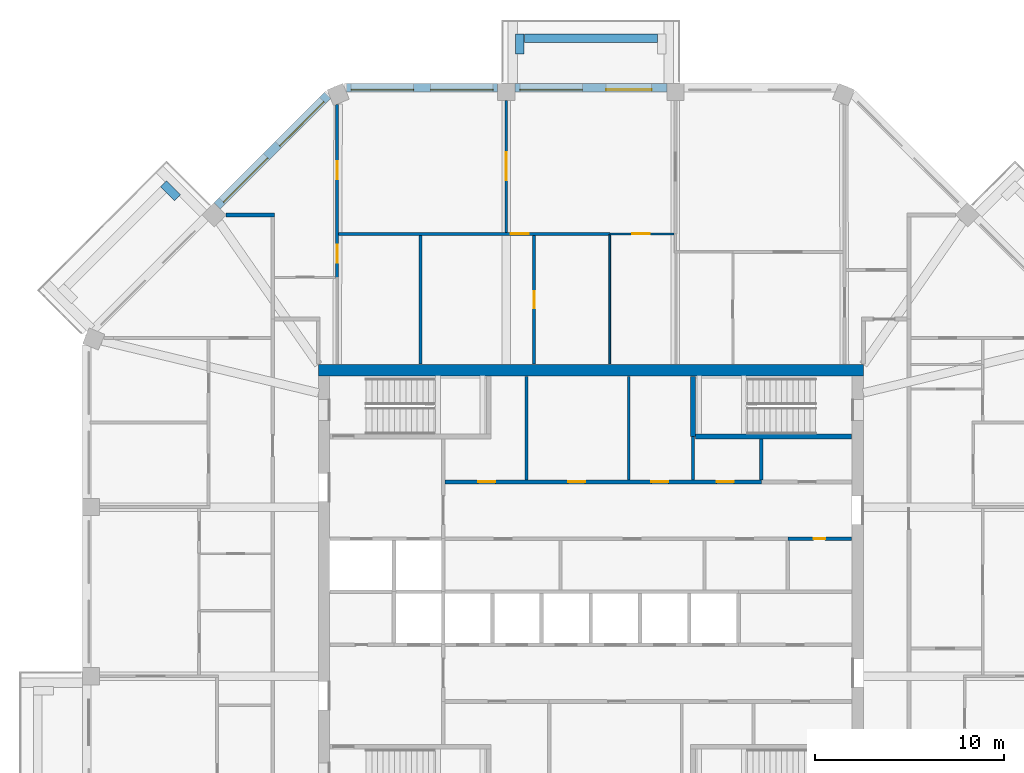
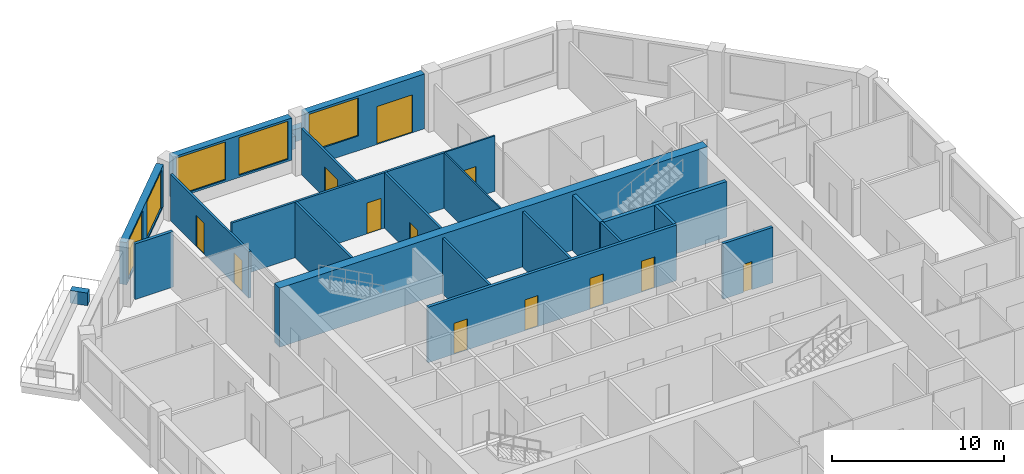
# One storey, part 8 of 11: 23 walls, 12 doors, 5 windows, 17 openings.
"""IFC4 building model written with IfcOpenShell, lengths in metres."""

from ifc_helpers import new_model, si_unit, direction, frame, frame_2d, origin, place, context, subcontext, project, spatial, rectangle, extrude, material, layer, layer_set, type_object, element, fill, save


model = new_model("IFC4")

# Units and contexts
model_context = context("Model", 3, precision=1e-05, world=origin(), true_north=direction((0.0, 1.0)))
body_context = subcontext(model_context, "Body", "Model", "MODEL_VIEW")
ifc_project = project(units=[si_unit("LENGTHUNIT", "METRE"), si_unit("AREAUNIT", "SQUARE_METRE"), si_unit("VOLUMEUNIT", "CUBIC_METRE"), si_unit("PLANEANGLEUNIT", "RADIAN"), si_unit("MASSUNIT", "GRAM", prefix="KILO")], contexts=[model_context])

# Site, building, storey
site_placement = place(None, origin())
site = spatial("IfcSite", under=ifc_project, at=site_placement, CompositionType="ELEMENT")
building_placement = place(site_placement, origin())
building = spatial("IfcBuilding", under=site, at=building_placement, Name="Msitu Wima Residences", CompositionType="ELEMENT")
storey_placement = place(building_placement, frame((0.0, 0.0, 302.10009765625)))
storey = spatial("IfcBuildingStorey", under=building, at=storey_placement, Name="L70", CompositionType="ELEMENT", Elevation=302.10009765625)

# Walls
ifc_material_1 = material(Name="Facing brick")
ifc_layer_1 = layer(ifc_material_1, 0.06494140625, Name="Facing brick")
ifc_material_2 = material(Name="Concrete C40/50", Category="concrete")
ifc_layer_2 = layer(ifc_material_2, 0.156005859375, Name="Concrete C40/50")
ifc_material_3 = material(Name="Waterproofing membrane")
ifc_layer_3 = layer(ifc_material_3, 0.00390625, Name="Waterproofing membrane")
ifc_material_4 = material(Name="Planting soil and planting")
ifc_layer_4 = layer(ifc_material_4, 0.22509765625, Name="Planting soil and planting")
ifc_layer_set_1 = layer_set([ifc_layer_1, ifc_layer_2, ifc_layer_3, ifc_layer_4], Name="Concrete C40/50")
wall_type_1 = type_object("IfcWallType", Name="Balcony planter PLANTER PL450", PredefinedType="USERDEFINED", material=ifc_layer_set_1)
wall_1_placement = place(storey_placement, frame((3.5185546875, 29.22509765625, 0.0), z_axis=(0.0, 0.0, 1.0), x_axis=(-1.0, 0.0, 0.0)))
element("IfcWall", 1, at=wall_1_placement, inside=storey, type_object=wall_type_1, Name="Balcony planter N1 L70", ObjectType="PLANTER", PredefinedType="USERDEFINED", context=body_context, shape_type="SweptSolid", body=[
    extrude(rectangle(XDim=7.037109375, YDim=0.449951171875, at=frame_2d((3.5185546875, 0.0))), origin(), (0.0, 0.0, 1.0), 0.89990234375),
])
for number, where, z_axis, x_axis, name in (
    (2, (-3.74365234375, 28.39990234375, 0.0), (0.0, 0.0, 1.0), (0.0, 1.0, 0.0), "Balcony planter N1 L70"),
    (3, (-21.829833984375, 20.804443359375, 0.0), (0.0, 0.0, 1.0), (-0.707106781187, 0.707106781187, 0.0), "Balcony planter NW1 L70"),
):
    element("IfcWall", number, at=place(storey_placement, frame(where, z_axis=z_axis, x_axis=x_axis)), inside=storey, type_object=wall_type_1, Name=name, ObjectType="PLANTER", PredefinedType="USERDEFINED", context=body_context, shape_type="SweptSolid", body=[
        extrude(rectangle(XDim=1.050048828125, YDim=0.449951171875, at=frame_2d((0.52490234375, 0.0))), origin(), (0.0, 0.0, 1.0), 0.89990234375),
    ])

# Wall, openings, door, window
ifc_material_5 = material(Name="Brick (red buff mix)", Category="masonry")
ifc_layer_5 = layer(ifc_material_5, 0.449951171875)
ifc_layer_set_2 = layer_set([ifc_layer_5], Name="Brick (red buff mix)")
wall_type_2 = type_object("IfcWallType", Name="Brick infill wall BW450", PredefinedType="SOLIDWALL", material=ifc_layer_set_2)
wall_2_placement = place(storey_placement, frame((4.0185546875, 26.625, 0.0), z_axis=(0.0, 0.0, 1.0), x_axis=(-1.0, 0.0, 0.0)))
wall_2 = element("IfcWall", 4, at=wall_2_placement, inside=storey, type_object=wall_type_2, Name="Brick infill wall L70 N1", PredefinedType="SOLIDWALL", context=body_context, shape_type="SweptSolid", body=[
    extrude(rectangle(XDim=8.037109375, YDim=0.449951171875, at=frame_2d((4.0185546875, 0.0))), origin(), (0.0, 0.0, 1.0), 3.89990234375),
])
opening_1_placement = place(wall_2_placement, frame((0.809326171875, 0.0, 0.0)))
opening_1 = element("IfcOpeningElement", 5, at=opening_1_placement, cuts=wall_2, Name="Opening D68-70.002", PredefinedType="OPENING", context=body_context, shape_type="SweptSolid", body=[
    extrude(rectangle(XDim=2.39990234375, YDim=2.699951171875, at=frame_2d((1.199951171875, 1.35009765625))), frame((0.0, 0.23486328125, 0.0), z_axis=(0.0, -1.0, 0.0), x_axis=(1.0, 0.0, 0.0)), (0.0, 0.0, 1.0), 0.469970703125),
])
opening_2_placement = place(wall_2_placement, frame((4.46875, 0.0, 1.050048828125)))
opening_2 = element("IfcOpeningElement", 6, at=opening_2_placement, cuts=wall_2, Name="Opening W68-70.008", PredefinedType="OPENING", context=body_context, shape_type="SweptSolid", body=[
    extrude(rectangle(XDim=3.300048828125, YDim=2.699951171875, at=frame_2d((1.64990234375, 1.35009765625))), frame((0.0, 0.23486328125, 0.0), z_axis=(0.0, -1.0, 0.0), x_axis=(1.0, 0.0, 0.0)), (0.0, 0.0, 1.0), 0.469970703125),
])
ifc_material_6 = material(Name="Anodised aluminium, bronze finish, clear low-emissivity double glazing", Category="aluminium")
door_type_1 = type_object("IfcDoorType", Name="Balcony door D2400x2700", OperationType="SLIDING_TO_LEFT", PredefinedType="DOOR", material=ifc_material_6)
door_1_placement = place(opening_1_placement, origin())
door_1 = element("IfcDoor", 7, at=door_1_placement, inside=storey, type_object=door_type_1, Name="Balcony door L70 N1", OperationType="SINGLE_SWING_LEFT", OverallHeight=2.699951171875, OverallWidth=2.39990234375, PredefinedType="DOOR", context=body_context, shape_type="SweptSolid", body=[
    extrude(rectangle(XDim=2.39990234375, YDim=2.699951171875, at=frame_2d((1.199951171875, 1.35009765625))), frame((0.0, 0.1298828125, 0.0), z_axis=(0.0, -1.0, 0.0), x_axis=(1.0, 0.0, 0.0)), (0.0, 0.0, 1.0), 0.050048828125),
])
fill(opening_1, door_1)
window_type = type_object("IfcWindowType", Name="Window W3300x2700", PartitioningType="DOUBLE_PANEL_VERTICAL", PredefinedType="WINDOW", material=ifc_material_6)
window_1_placement = place(opening_2_placement, origin())
window_1 = element("IfcWindow", 8, at=window_1_placement, inside=storey, type_object=window_type, Name="Window L70 N1.2", OverallHeight=2.699951171875, OverallWidth=3.300048828125, PartitioningType="SINGLE_PANEL", PredefinedType="WINDOW", context=body_context, shape_type="SweptSolid", body=[
    extrude(rectangle(XDim=3.300048828125, YDim=2.699951171875, at=frame_2d((1.64990234375, 1.35009765625))), frame((0.0, 0.135009765625, 0.0), z_axis=(0.0, -1.0, 0.0), x_axis=(1.0, 0.0, 0.0)), (0.0, 0.0, 1.0), 0.06005859375),
])
fill(opening_2, window_1)

# Wall, openings, windows
wall_3_placement = place(storey_placement, frame((-4.918701171875, 26.625, 0.89990234375), z_axis=(0.0, 0.0, 1.0), x_axis=(-1.0, 0.0, 0.0)))
wall_3 = element("IfcWall", 9, at=wall_3_placement, inside=storey, type_object=wall_type_2, Name="Brick infill wall L70 N2", PredefinedType="SOLIDWALL", context=body_context, shape_type="SweptSolid", body=[
    extrude(rectangle(XDim=8.0, YDim=0.449951171875, at=frame_2d((4.0, 0.0))), origin(), (0.0, 0.0, 1.0), 3.0),
])
opening_3_placement = place(wall_3_placement, frame((0.25, 0.0, 0.14990234375)))
opening_3 = element("IfcOpeningElement", 10, at=opening_3_placement, cuts=wall_3, Name="Opening W68-70.009", PredefinedType="OPENING", context=body_context, shape_type="SweptSolid", body=[
    extrude(rectangle(XDim=3.300048828125, YDim=2.699951171875, at=frame_2d((1.64990234375, 1.35009765625))), frame((0.0, 0.23486328125, 0.0), z_axis=(0.0, -1.0, 0.0), x_axis=(1.0, 0.0, 0.0)), (0.0, 0.0, 1.0), 0.469970703125),
])
opening_4_placement = place(wall_3_placement, frame((4.4501953125, 0.0, 0.14990234375)))
opening_4 = element("IfcOpeningElement", 11, at=opening_4_placement, cuts=wall_3, Name="Opening W68-70.010", PredefinedType="OPENING", context=body_context, shape_type="SweptSolid", body=[
    extrude(rectangle(XDim=3.300048828125, YDim=2.699951171875, at=frame_2d((1.64990234375, 1.35009765625))), frame((0.0, 0.23486328125, 0.0), z_axis=(0.0, -1.0, 0.0), x_axis=(1.0, 0.0, 0.0)), (0.0, 0.0, 1.0), 0.469970703125),
])
window_2_placement = place(opening_3_placement, origin())
window_2 = element("IfcWindow", 12, at=window_2_placement, inside=storey, type_object=window_type, Name="Window L70 N2.1", OverallHeight=2.699951171875, OverallWidth=3.300048828125, PartitioningType="SINGLE_PANEL", PredefinedType="WINDOW", context=body_context, shape_type="SweptSolid", body=[
    extrude(rectangle(XDim=3.300048828125, YDim=2.699951171875, at=frame_2d((1.64990234375, 1.35009765625))), frame((0.0, 0.135009765625, 0.0), z_axis=(0.0, -1.0, 0.0), x_axis=(1.0, 0.0, 0.0)), (0.0, 0.0, 1.0), 0.06005859375),
])
fill(opening_3, window_2)
window_3_placement = place(opening_4_placement, origin())
window_3 = element("IfcWindow", 13, at=window_3_placement, inside=storey, type_object=window_type, Name="Window L70 N2.2", OverallHeight=2.699951171875, OverallWidth=3.300048828125, PartitioningType="SINGLE_PANEL", PredefinedType="WINDOW", context=body_context, shape_type="SweptSolid", body=[
    extrude(rectangle(XDim=3.300048828125, YDim=2.699951171875, at=frame_2d((1.64990234375, 1.35009765625))), frame((0.0, 0.135009765625, 0.0), z_axis=(0.0, -1.0, 0.0), x_axis=(1.0, 0.0, 0.0)), (0.0, 0.0, 1.0), 0.06005859375),
])
fill(opening_4, window_3)

wall_4_placement = place(storey_placement, frame((-13.909423828125, 26.214599609375, 0.89990234375), z_axis=(0.0, 0.0, 1.0), x_axis=(-0.707106781187, -0.707106781187, 0.0)))
wall_4 = element("IfcWall", 14, at=wall_4_placement, inside=storey, type_object=wall_type_2, Name="Brick infill wall L70 NW0", PredefinedType="SOLIDWALL", context=body_context, shape_type="SweptSolid", body=[
    extrude(rectangle(XDim=8.251220703125, YDim=0.449951171875, at=frame_2d((4.12548828125, 0.0))), origin(), (0.0, 0.0, 1.0), 3.0),
])
opening_5_placement = place(wall_4_placement, frame((0.37548828125, 0.0, 0.14990234375)))
opening_5 = element("IfcOpeningElement", 15, at=opening_5_placement, cuts=wall_4, Name="Opening W68-70.014", PredefinedType="OPENING", context=body_context, shape_type="SweptSolid", body=[
    extrude(rectangle(XDim=3.300048828125, YDim=2.699951171875, at=frame_2d((1.64990234375, 1.35009765625))), frame((0.0, 0.23486328125, 0.0), z_axis=(0.0, -1.0, 0.0), x_axis=(1.0, 0.0, 0.0)), (0.0, 0.0, 1.0), 0.469970703125),
])
opening_6_placement = place(wall_4_placement, frame((4.57568359375, 0.0, 0.14990234375)))
opening_6 = element("IfcOpeningElement", 16, at=opening_6_placement, cuts=wall_4, Name="Opening W68-70.015", PredefinedType="OPENING", context=body_context, shape_type="SweptSolid", body=[
    extrude(rectangle(XDim=3.300048828125, YDim=2.699951171875, at=frame_2d((1.64990234375, 1.35009765625))), frame((0.0, 0.23486328125, 0.0), z_axis=(0.0, -1.0, 0.0), x_axis=(1.0, 0.0, 0.0)), (0.0, 0.0, 1.0), 0.469970703125),
])
window_4_placement = place(opening_5_placement, origin())
window_4 = element("IfcWindow", 17, at=window_4_placement, inside=storey, type_object=window_type, Name="Window L70 NW0.1", OverallHeight=2.699951171875, OverallWidth=3.300048828125, PartitioningType="SINGLE_PANEL", PredefinedType="WINDOW", context=body_context, shape_type="SweptSolid", body=[
    extrude(rectangle(XDim=3.300048828125, YDim=2.699951171875, at=frame_2d((1.64990234375, 1.35009765625))), frame((0.0, 0.135009765625, 0.0), z_axis=(0.0, -1.0, 0.0), x_axis=(1.0, 0.0, 0.0)), (0.0, 0.0, 1.0), 0.06005859375),
])
fill(opening_5, window_4)
window_5_placement = place(opening_6_placement, origin())
window_5 = element("IfcWindow", 18, at=window_5_placement, inside=storey, type_object=window_type, Name="Window L70 NW0.2", OverallHeight=2.699951171875, OverallWidth=3.300048828125, PartitioningType="SINGLE_PANEL", PredefinedType="WINDOW", context=body_context, shape_type="SweptSolid", body=[
    extrude(rectangle(XDim=3.300048828125, YDim=2.699951171875, at=frame_2d((1.64990234375, 1.35009765625))), frame((0.0, 0.135009765625, 0.0), z_axis=(0.0, -1.0, 0.0), x_axis=(1.0, 0.0, 0.0)), (0.0, 0.0, 1.0), 0.06005859375),
])
fill(opening_6, window_5)

# Wall
ifc_material_7 = material(Name="Concrete C50/60", Category="concrete")
ifc_layer_6 = layer(ifc_material_7, 0.60009765625)
ifc_layer_set_3 = layer_set([ifc_layer_6], Name="Concrete C50/60")
wall_type_3 = type_object("IfcWallType", Name="Core wall CW600 C50/60", PredefinedType="SHEAR", material=ifc_layer_set_3)
wall_5_placement = place(storey_placement, frame((-14.39990234375, 11.699951171875, 0.0), z_axis=(0.0, 0.0, 1.0), x_axis=(1.0, 0.0, 0.0)))
element("IfcWall", 19, at=wall_5_placement, inside=storey, type_object=wall_type_3, Name="Core wall", PredefinedType="SHEAR", context=body_context, shape_type="SweptSolid", body=[
    extrude(rectangle(XDim=28.7998046875, YDim=0.60009765625, at=frame_2d((14.39990234375, 0.0))), origin(), (0.0, 0.0, 1.0), 4.199951171875),
])

# Wall, openings, doors
ifc_material_8 = material(Name="Plaster")
ifc_layer_7 = layer(ifc_material_8, 0.011962890625, Name="Plaster")
ifc_material_9 = material(Name="Concrete blockwork", Category="masonry")
ifc_layer_8 = layer(ifc_material_9, 0.176025390625, Name="Concrete blockwork")
ifc_layer_9 = layer(ifc_material_8, 0.011962890625, Name="Plaster")
ifc_layer_set_4 = layer_set([ifc_layer_7, ifc_layer_8, ifc_layer_9], Name="Concrete blockwork")
wall_type_4 = type_object("IfcWallType", Name="Corridor wall FW200", PredefinedType="PARTITIONING", material=ifc_layer_set_4)
wall_6_placement = place(storey_placement, frame((-7.699951171875, 5.800048828125, 0.0), z_axis=(0.0, 0.0, 1.0), x_axis=(1.0, 0.0, 0.0)))
wall_6 = element("IfcWall", 20, at=wall_6_placement, inside=storey, type_object=wall_type_4, Name="Corridor wall", PredefinedType="PARTITIONING", context=body_context, shape_type="SweptSolid", body=[
    extrude(rectangle(XDim=16.719970703125, YDim=0.199951171875, at=frame_2d((8.35986328125, 0.0))), origin(), (0.0, 0.0, 1.0), 3.949951171875),
])
opening_7_placement = place(wall_6_placement, frame((1.75, 0.0, 0.0)))
opening_7 = element("IfcOpeningElement", 21, at=opening_7_placement, cuts=wall_6, Name="Opening D68-70.062", PredefinedType="OPENING", context=body_context, shape_type="SweptSolid", body=[
    extrude(rectangle(XDim=0.89990234375, YDim=2.199951171875, at=frame_2d((0.449951171875, 1.10009765625))), frame((0.0, 0.10986328125, 0.0), z_axis=(0.0, -1.0, 0.0), x_axis=(1.0, 0.0, 0.0)), (0.0, 0.0, 1.0), 0.219970703125),
])
opening_8_placement = place(wall_6_placement, frame((6.5, 0.0, 0.0)))
opening_8 = element("IfcOpeningElement", 22, at=opening_8_placement, cuts=wall_6, Name="Opening D68-70.063", PredefinedType="OPENING", context=body_context, shape_type="SweptSolid", body=[
    extrude(rectangle(XDim=0.89990234375, YDim=2.199951171875, at=frame_2d((0.449951171875, 1.10009765625))), frame((0.0, 0.10986328125, 0.0), z_axis=(0.0, -1.0, 0.0), x_axis=(1.0, 0.0, 0.0)), (0.0, 0.0, 1.0), 0.219970703125),
])
opening_9_placement = place(wall_6_placement, frame((10.89990234375, 0.0, 0.0)))
opening_9 = element("IfcOpeningElement", 23, at=opening_9_placement, cuts=wall_6, Name="Opening D68-70.064", PredefinedType="OPENING", context=body_context, shape_type="SweptSolid", body=[
    extrude(rectangle(XDim=0.89990234375, YDim=2.199951171875, at=frame_2d((0.449951171875, 1.10009765625))), frame((0.0, 0.10986328125, 0.0), z_axis=(0.0, -1.0, 0.0), x_axis=(1.0, 0.0, 0.0)), (0.0, 0.0, 1.0), 0.219970703125),
])
opening_10_placement = place(wall_6_placement, frame((14.35009765625, 0.0, 0.0)))
opening_10 = element("IfcOpeningElement", 24, at=opening_10_placement, cuts=wall_6, Name="Opening D68-70.065", PredefinedType="OPENING", context=body_context, shape_type="SweptSolid", body=[
    extrude(rectangle(XDim=0.89990234375, YDim=2.199951171875, at=frame_2d((0.449951171875, 1.10009765625))), frame((0.0, 0.10986328125, 0.0), z_axis=(0.0, -1.0, 0.0), x_axis=(1.0, 0.0, 0.0)), (0.0, 0.0, 1.0), 0.219970703125),
])
ifc_material_10 = material(Name="Timber flush door", Category="wood")
door_type_2 = type_object("IfcDoorType", Name="Service door D05 900x2200", OperationType="SINGLE_SWING_LEFT", PredefinedType="DOOR", material=ifc_material_10)
door_2_placement = place(opening_7_placement, origin())
door_2 = element("IfcDoor", 25, at=door_2_placement, inside=storey, type_object=door_type_2, Name="Service door", OperationType="SINGLE_SWING_RIGHT", OverallHeight=2.199951171875, OverallWidth=0.89990234375, PredefinedType="DOOR", context=body_context, shape_type="SweptSolid", body=[
    extrude(rectangle(XDim=0.89990234375, YDim=2.199951171875, at=frame_2d((0.449951171875, 1.10009765625))), frame((0.0, 0.02490234375, 0.0), z_axis=(0.0, -1.0, 0.0), x_axis=(1.0, 0.0, 0.0)), (0.0, 0.0, 1.0), 0.050048828125),
])
fill(opening_7, door_2)
door_3_placement = place(opening_8_placement, origin())
door_3 = element("IfcDoor", 26, at=door_3_placement, inside=storey, type_object=door_type_2, Name="Service door", OperationType="SINGLE_SWING_LEFT", OverallHeight=2.199951171875, OverallWidth=0.89990234375, PredefinedType="DOOR", context=body_context, shape_type="SweptSolid", body=[
    extrude(rectangle(XDim=0.89990234375, YDim=2.199951171875, at=frame_2d((0.449951171875, 1.10009765625))), frame((0.0, 0.02490234375, 0.0), z_axis=(0.0, -1.0, 0.0), x_axis=(1.0, 0.0, 0.0)), (0.0, 0.0, 1.0), 0.050048828125),
])
fill(opening_8, door_3)
door_4_placement = place(opening_9_placement, origin())
door_4 = element("IfcDoor", 27, at=door_4_placement, inside=storey, type_object=door_type_2, Name="Service door", OperationType="SINGLE_SWING_LEFT", OverallHeight=2.199951171875, OverallWidth=0.89990234375, PredefinedType="DOOR", context=body_context, shape_type="SweptSolid", body=[
    extrude(rectangle(XDim=0.89990234375, YDim=2.199951171875, at=frame_2d((0.449951171875, 1.10009765625))), frame((0.0, 0.02490234375, 0.0), z_axis=(0.0, -1.0, 0.0), x_axis=(1.0, 0.0, 0.0)), (0.0, 0.0, 1.0), 0.050048828125),
])
fill(opening_9, door_4)
door_5_placement = place(opening_10_placement, origin())
door_5 = element("IfcDoor", 28, at=door_5_placement, inside=storey, type_object=door_type_2, Name="Service door", OperationType="SINGLE_SWING_LEFT", OverallHeight=2.199951171875, OverallWidth=0.89990234375, PredefinedType="DOOR", context=body_context, shape_type="SweptSolid", body=[
    extrude(rectangle(XDim=0.89990234375, YDim=2.199951171875, at=frame_2d((0.449951171875, 1.10009765625))), frame((0.0, 0.02490234375, 0.0), z_axis=(0.0, -1.0, 0.0), x_axis=(1.0, 0.0, 0.0)), (0.0, 0.0, 1.0), 0.050048828125),
])
fill(opening_10, door_5)

# Wall, opening, door
ifc_layer_10 = layer(ifc_material_8, 0.011962890625, Name="Plaster")
ifc_layer_11 = layer(ifc_material_9, 0.1259765625, Name="Concrete blockwork")
ifc_layer_12 = layer(ifc_material_8, 0.011962890625, Name="Plaster")
ifc_layer_set_5 = layer_set([ifc_layer_10, ifc_layer_11, ifc_layer_12], Name="Concrete blockwork")
wall_type_5 = type_object("IfcWallType", Name="Partition PW150", PredefinedType="PARTITIONING", material=ifc_layer_set_5)
wall_7_placement = place(storey_placement, frame((-13.330810546875, 18.89990234375, 0.0), z_axis=(0.0, 0.0, 1.0), x_axis=(1.0, 0.0, 0.0)))
wall_7 = element("IfcWall", 29, at=wall_7_placement, inside=storey, type_object=wall_type_5, Name="Partition", PredefinedType="PARTITIONING", context=body_context, shape_type="SweptSolid", body=[
    extrude(rectangle(XDim=14.330810546875, YDim=0.14990234375, at=frame_2d((7.16552734375, 0.0))), origin(), (0.0, 0.0, 1.0), 3.949951171875),
])
opening_11_placement = place(wall_7_placement, frame((9.10009765625, 0.0, 0.0)))
opening_11 = element("IfcOpeningElement", 30, at=opening_11_placement, cuts=wall_7, Name="Opening D68-70.030", PredefinedType="OPENING", context=body_context, shape_type="SweptSolid", body=[
    extrude(rectangle(XDim=0.949951171875, YDim=2.199951171875, at=frame_2d((0.47509765625, 1.10009765625))), frame((0.0, 0.0849609375, 0.0), z_axis=(0.0, -1.0, 0.0), x_axis=(1.0, 0.0, 0.0)), (0.0, 0.0, 1.0), 0.169921875),
])
door_type_3 = type_object("IfcDoorType", Name="Room door D12 950x2200", OperationType="SINGLE_SWING_LEFT", PredefinedType="DOOR", material=ifc_material_10)
door_6_placement = place(opening_11_placement, origin())
door_6 = element("IfcDoor", 31, at=door_6_placement, inside=storey, type_object=door_type_3, Name="Room door", OperationType="SINGLE_SWING_LEFT", OverallHeight=2.199951171875, OverallWidth=0.949951171875, PredefinedType="DOOR", context=body_context, shape_type="SweptSolid", body=[
    extrude(rectangle(XDim=0.949951171875, YDim=2.199951171875, at=frame_2d((0.47509765625, 1.10009765625))), frame((0.0, 0.02490234375, 0.0), z_axis=(0.0, -1.0, 0.0), x_axis=(1.0, 0.0, 0.0)), (0.0, 0.0, 1.0), 0.050048828125),
])
fill(opening_11, door_6)

# Wall, openings, doors
wall_8_placement = place(storey_placement, frame((-13.406005859375, 25.731201171875, 0.0), z_axis=(0.0, 0.0, 1.0), x_axis=(0.0, -1.0, 0.0)))
wall_8 = element("IfcWall", 32, at=wall_8_placement, inside=storey, type_object=wall_type_5, Name="Partition", PredefinedType="PARTITIONING", context=body_context, shape_type="SweptSolid", body=[
    extrude(rectangle(XDim=9.131103515625, YDim=0.14990234375, at=frame_2d((4.5654296875, 0.0))), origin(), (0.0, 0.0, 1.0), 3.2998046875),
])
opening_12_placement = place(wall_8_placement, frame((3.0, 0.0, 0.0)))
opening_12 = element("IfcOpeningElement", 33, at=opening_12_placement, cuts=wall_8, Name="Opening D68-70.023", PredefinedType="OPENING", context=body_context, shape_type="SweptSolid", body=[
    extrude(rectangle(XDim=0.949951171875, YDim=2.199951171875, at=frame_2d((0.47509765625, 1.10009765625))), frame((0.0, 0.0849609375, 0.0), z_axis=(0.0, -1.0, 0.0), x_axis=(1.0, 0.0, 0.0)), (0.0, 0.0, 1.0), 0.169921875),
])
opening_13_placement = place(wall_8_placement, frame((7.39990234375, 0.0, 0.0)))
opening_13 = element("IfcOpeningElement", 34, at=opening_13_placement, cuts=wall_8, Name="Opening D68-70.024", PredefinedType="OPENING", context=body_context, shape_type="SweptSolid", body=[
    extrude(rectangle(XDim=0.949951171875, YDim=2.199951171875, at=frame_2d((0.47509765625, 1.10009765625))), frame((0.0, 0.0849609375, 0.0), z_axis=(0.0, -1.0, 0.0), x_axis=(1.0, 0.0, 0.0)), (0.0, 0.0, 1.0), 0.169921875),
])
door_7_placement = place(opening_12_placement, origin())
door_7 = element("IfcDoor", 35, at=door_7_placement, inside=storey, type_object=door_type_3, Name="Room door", OperationType="SINGLE_SWING_RIGHT", OverallHeight=2.199951171875, OverallWidth=0.949951171875, PredefinedType="DOOR", context=body_context, shape_type="SweptSolid", body=[
    extrude(rectangle(XDim=0.949951171875, YDim=2.199951171875, at=frame_2d((0.47509765625, 1.10009765625))), frame((0.0, 0.02490234375, 0.0), z_axis=(0.0, -1.0, 0.0), x_axis=(1.0, 0.0, 0.0)), (0.0, 0.0, 1.0), 0.050048828125),
])
fill(opening_12, door_7)
door_8_placement = place(opening_13_placement, origin())
door_8 = element("IfcDoor", 36, at=door_8_placement, inside=storey, type_object=door_type_3, Name="Room door", OperationType="SINGLE_SWING_LEFT", OverallHeight=2.199951171875, OverallWidth=0.949951171875, PredefinedType="DOOR", context=body_context, shape_type="SweptSolid", body=[
    extrude(rectangle(XDim=0.949951171875, YDim=2.199951171875, at=frame_2d((0.47509765625, 1.10009765625))), frame((0.0, 0.02490234375, 0.0), z_axis=(0.0, -1.0, 0.0), x_axis=(1.0, 0.0, 0.0)), (0.0, 0.0, 1.0), 0.050048828125),
])
fill(opening_13, door_8)

# Wall
wall_9_placement = place(storey_placement, frame((-9.0, 12.030029296875, 0.0), z_axis=(0.0, 0.0, 1.0), x_axis=(0.0, 1.0, 0.0)))
element("IfcWall", 37, at=wall_9_placement, inside=storey, type_object=wall_type_5, Name="Partition", PredefinedType="PARTITIONING", context=body_context, shape_type="SweptSolid", body=[
    extrude(rectangle(XDim=6.794921875, YDim=0.14990234375, at=frame_2d((3.3974609375, 0.0))), origin(), (0.0, 0.0, 1.0), 3.949951171875),
])

# Wall, opening, door
wall_10_placement = place(storey_placement, frame((-4.46875, 18.97509765625, 0.0), z_axis=(0.0, 0.0, 1.0), x_axis=(0.0, 1.0, 0.0)))
wall_10 = element("IfcWall", 38, at=wall_10_placement, inside=storey, type_object=wall_type_5, Name="Partition", PredefinedType="PARTITIONING", context=body_context, shape_type="SweptSolid", body=[
    extrude(rectangle(XDim=6.974853515625, YDim=0.14990234375, at=frame_2d((3.4873046875, 0.0))), origin(), (0.0, 0.0, 1.0), 3.2998046875),
])
opening_14_placement = place(wall_10_placement, frame((2.75, 0.0, 0.0)))
opening_14 = element("IfcOpeningElement", 39, at=opening_14_placement, cuts=wall_10, Name="Opening D68-70.033", PredefinedType="OPENING", context=body_context, shape_type="SweptSolid", body=[
    extrude(rectangle(XDim=1.5, YDim=2.199951171875, at=frame_2d((0.75, 1.10009765625))), frame((0.0, 0.0849609375, 0.0), z_axis=(0.0, -1.0, 0.0), x_axis=(1.0, 0.0, 0.0)), (0.0, 0.0, 1.0), 0.169921875),
])
ifc_material_11 = material(Name="Timber double door", Category="wood")
door_type_4 = type_object("IfcDoorType", Name="Double door D04 1500x2200", OperationType="DOUBLE_DOOR_SINGLE_SWING", PredefinedType="DOOR", material=ifc_material_11)
door_9_placement = place(opening_14_placement, origin())
door_9 = element("IfcDoor", 40, at=door_9_placement, inside=storey, type_object=door_type_4, Name="Double door", OperationType="DOUBLE_DOOR_SINGLE_SWING", OverallHeight=2.199951171875, OverallWidth=1.5, PredefinedType="DOOR", context=body_context, shape_type="SweptSolid", body=[
    extrude(rectangle(XDim=1.5, YDim=2.199951171875, at=frame_2d((0.75, 1.10009765625))), frame((0.0, 0.02490234375, 0.0), z_axis=(0.0, -1.0, 0.0), x_axis=(1.0, 0.0, 0.0)), (0.0, 0.0, 1.0), 0.050048828125),
])
fill(opening_14, door_9)

# Wall
wall_11_placement = place(storey_placement, frame((-3.39990234375, 5.89990234375, 0.0), z_axis=(0.0, 0.0, 1.0), x_axis=(0.0, 1.0, 0.0)))
element("IfcWall", 41, at=wall_11_placement, inside=storey, type_object=wall_type_5, Name="Partition", PredefinedType="PARTITIONING", context=body_context, shape_type="SweptSolid", body=[
    extrude(rectangle(XDim=5.47021484375, YDim=0.14990234375, at=frame_2d((2.735107421875, 0.0))), origin(), (0.0, 0.0, 1.0), 3.949951171875),
])

# Wall, opening, door
wall_12_placement = place(storey_placement, frame((-3.0, 12.030029296875, 0.0), z_axis=(0.0, 0.0, 1.0), x_axis=(0.0, 1.0, 0.0)))
wall_12 = element("IfcWall", 42, at=wall_12_placement, inside=storey, type_object=wall_type_5, Name="Partition", PredefinedType="PARTITIONING", context=body_context, shape_type="SweptSolid", body=[
    extrude(rectangle(XDim=6.794921875, YDim=0.14990234375, at=frame_2d((3.3974609375, 0.0))), origin(), (0.0, 0.0, 1.0), 3.949951171875),
])
opening_15_placement = place(wall_12_placement, frame((2.949951171875, 0.0, 0.0)))
opening_15 = element("IfcOpeningElement", 43, at=opening_15_placement, cuts=wall_12, Name="Opening D68-70.031", PredefinedType="OPENING", context=body_context, shape_type="SweptSolid", body=[
    extrude(rectangle(XDim=0.89990234375, YDim=2.199951171875, at=frame_2d((0.449951171875, 1.10009765625))), frame((0.0, 0.0849609375, 0.0), z_axis=(0.0, -1.0, 0.0), x_axis=(1.0, 0.0, 0.0)), (0.0, 0.0, 1.0), 0.169921875),
])
door_10_placement = place(opening_15_placement, origin())
door_10 = element("IfcDoor", 44, at=door_10_placement, inside=storey, type_object=door_type_2, Name="Service door", OperationType="SINGLE_SWING_RIGHT", OverallHeight=2.199951171875, OverallWidth=0.89990234375, PredefinedType="DOOR", context=body_context, shape_type="SweptSolid", body=[
    extrude(rectangle(XDim=0.89990234375, YDim=2.199951171875, at=frame_2d((0.449951171875, 1.10009765625))), frame((0.0, 0.02490234375, 0.0), z_axis=(0.0, -1.0, 0.0), x_axis=(1.0, 0.0, 0.0)), (0.0, 0.0, 1.0), 0.050048828125),
])
fill(opening_15, door_10)

# Walls
wall_13_placement = place(storey_placement, frame((2.0, 5.89990234375, 0.0), z_axis=(0.0, 0.0, 1.0), x_axis=(0.0, 1.0, 0.0)))
element("IfcWall", 45, at=wall_13_placement, inside=storey, type_object=wall_type_5, Name="Partition", PredefinedType="PARTITIONING", context=body_context, shape_type="SweptSolid", body=[
    extrude(rectangle(XDim=5.47021484375, YDim=0.14990234375, at=frame_2d((2.735107421875, 0.0))), origin(), (0.0, 0.0, 1.0), 3.949951171875),
])
wall_14_placement = place(storey_placement, frame((5.39990234375, 5.89990234375, 0.0), z_axis=(0.0, 0.0, 1.0), x_axis=(0.0, 1.0, 0.0)))
element("IfcWall", 46, at=wall_14_placement, inside=storey, type_object=wall_type_5, Name="Partition", PredefinedType="PARTITIONING", context=body_context, shape_type="SweptSolid", body=[
    extrude(rectangle(XDim=2.300048828125, YDim=0.14990234375, at=frame_2d((1.14990234375, 0.0))), origin(), (0.0, 0.0, 1.0), 3.949951171875),
])
ifc_layer_13 = layer(ifc_material_8, 0.011962890625, Name="Plaster")
ifc_material_12 = material(Name="Dense concrete blockwork", Category="masonry")
ifc_layer_14 = layer(ifc_material_12, 0.176025390625, Name="Dense concrete blockwork")
ifc_layer_15 = layer(ifc_material_8, 0.011962890625, Name="Plaster")
ifc_layer_set_6 = layer_set([ifc_layer_13, ifc_layer_14, ifc_layer_15], Name="Dense concrete blockwork")
wall_type_6 = type_object("IfcWallType", Name="Party wall PW200", PredefinedType="PARTITIONING", material=ifc_layer_set_6)
wall_15_placement = place(storey_placement, frame((-19.2666015625, 19.90283203125, 0.0), z_axis=(0.0, 0.0, 1.0), x_axis=(1.0, 0.0, 0.0)))
element("IfcWall", 47, at=wall_15_placement, inside=storey, type_object=wall_type_6, Name="Party wall", PredefinedType="PARTITIONING", context=body_context, shape_type="SweptSolid", body=[
    extrude(rectangle(XDim=2.566650390625, YDim=0.199951171875, at=frame_2d((1.283203125, 0.0))), origin(), (0.0, 0.0, 1.0), 3.949951171875),
])
ifc_layer_16 = layer(ifc_material_8, 0.011962890625, Name="Plaster")
ifc_material_13 = material(Name="Reinforced concrete blockwork", Category="masonry")
ifc_layer_17 = layer(ifc_material_13, 0.176025390625, Name="Reinforced concrete blockwork")
ifc_layer_18 = layer(ifc_material_8, 0.011962890625, Name="Plaster")
ifc_layer_set_7 = layer_set([ifc_layer_16, ifc_layer_17, ifc_layer_18], Name="Reinforced concrete blockwork")
wall_type_7 = type_object("IfcWallType", Name="Plant and riser wall PL200", PredefinedType="PARTITIONING", material=ifc_layer_set_7)
wall_16_placement = place(storey_placement, frame((9.0, 5.89990234375, 0.0), z_axis=(0.0, 0.0, 1.0), x_axis=(0.0, 1.0, 0.0)))
element("IfcWall", 48, at=wall_16_placement, inside=storey, type_object=wall_type_7, Name="Plant and riser wall", PredefinedType="PARTITIONING", context=body_context, shape_type="SweptSolid", body=[
    extrude(rectangle(XDim=2.175048828125, YDim=0.199951171875, at=frame_2d((1.08740234375, 0.0))), origin(), (0.0, 0.0, 1.0), 3.949951171875),
])

# Wall, opening, door
wall_17_placement = place(storey_placement, frame((10.419921875, 2.800048828125, 0.0), z_axis=(0.0, 0.0, 1.0), x_axis=(1.0, 0.0, 0.0)))
wall_17 = element("IfcWall", 49, at=wall_17_placement, inside=storey, type_object=wall_type_7, Name="Plant and riser wall", PredefinedType="PARTITIONING", context=body_context, shape_type="SweptSolid", body=[
    extrude(rectangle(XDim=3.35009765625, YDim=0.199951171875, at=frame_2d((1.675048828125, 0.0))), origin(), (0.0, 0.0, 1.0), 3.949951171875),
])
opening_16_placement = place(wall_17_placement, frame((1.35009765625, 0.0, 0.0)))
opening_16 = element("IfcOpeningElement", 50, at=opening_16_placement, cuts=wall_17, Name="Opening D68-70.076", PredefinedType="OPENING", context=body_context, shape_type="SweptSolid", body=[
    extrude(rectangle(XDim=0.60009765625, YDim=2.0, at=frame_2d((0.300048828125, 1.0))), frame((0.0, 0.10986328125, 0.0), z_axis=(0.0, -1.0, 0.0), x_axis=(1.0, 0.0, 0.0)), (0.0, 0.0, 1.0), 0.219970703125),
])
ifc_material_14 = material(Name="Steel access door, fire resisting", Category="steel")
door_type_5 = type_object("IfcDoorType", Name="Riser access door D08 600x2000", OperationType="SINGLE_SWING_LEFT", PredefinedType="DOOR", material=ifc_material_14)
door_11_placement = place(opening_16_placement, origin())
door_11 = element("IfcDoor", 51, at=door_11_placement, inside=storey, type_object=door_type_5, Name="Riser access door", OperationType="SINGLE_SWING_RIGHT", OverallHeight=2.0, OverallWidth=0.60009765625, PredefinedType="DOOR", context=body_context, shape_type="SweptSolid", body=[
    extrude(rectangle(XDim=0.60009765625, YDim=2.0, at=frame_2d((0.300048828125, 1.0))), frame((0.0, 0.02490234375, 0.0), z_axis=(0.0, -1.0, 0.0), x_axis=(1.0, 0.0, 0.0)), (0.0, 0.0, 1.0), 0.050048828125),
])
fill(opening_16, door_11)

# Walls
ifc_layer_19 = layer(ifc_material_7, 0.25)
ifc_layer_set_8 = layer_set([ifc_layer_19], Name="Concrete C50/60")
wall_type_8 = type_object("IfcWallType", Name="Stair enclosure wall SW250", PredefinedType="SHEAR", material=ifc_layer_set_8)
wall_18_placement = place(storey_placement, frame((5.39990234375, 8.199951171875, 0.0), z_axis=(0.0, 0.0, 1.0), x_axis=(0.0, 1.0, 0.0)))
element("IfcWall", 52, at=wall_18_placement, inside=storey, type_object=wall_type_8, Name="Stair enclosure wall", PredefinedType="SHEAR", context=body_context, shape_type="SweptSolid", body=[
    extrude(rectangle(XDim=3.170166015625, YDim=0.25, at=frame_2d((1.5849609375, 0.0))), origin(), (0.0, 0.0, 1.0), 3.949951171875),
])
wall_19_placement = place(storey_placement, frame((5.52490234375, 8.199951171875, 0.0), z_axis=(0.0, 0.0, 1.0), x_axis=(1.0, 0.0, 0.0)))
element("IfcWall", 53, at=wall_19_placement, inside=storey, type_object=wall_type_8, Name="Stair enclosure wall", PredefinedType="SHEAR", context=body_context, shape_type="SweptSolid", body=[
    extrude(rectangle(XDim=8.2451171875, YDim=0.25, at=frame_2d((4.12255859375, 0.0))), origin(), (0.0, 0.0, 1.0), 3.949951171875),
])

# Wall, opening, door
ifc_material_15 = material(Name="Ceramic tiles")
ifc_layer_20 = layer(ifc_material_15, 0.008056640625, Name="Ceramic tiles")
ifc_material_16 = material(Name="Moisture-resistant board")
ifc_layer_21 = layer(ifc_material_16, 0.012451171875, Name="Moisture-resistant board")
ifc_material_17 = material(Name="Light-gauge stud framing with mineral wool")
ifc_layer_22 = layer(ifc_material_17, 0.06689453125, Name="Light-gauge stud framing with mineral wool")
ifc_layer_23 = layer(ifc_material_16, 0.012451171875, Name="Moisture-resistant board")
ifc_layer_set_9 = layer_set([ifc_layer_20, ifc_layer_21, ifc_layer_22, ifc_layer_23], Name="Light-gauge stud framing with mineral wool")
wall_type_9 = type_object("IfcWallType", Name="Wet wall PW100", PredefinedType="PARTITIONING", material=ifc_layer_set_9)
wall_20_placement = place(storey_placement, frame((1.0, 18.89990234375, 0.0), z_axis=(0.0, 0.0, 1.0), x_axis=(1.0, 0.0, 0.0)))
wall_20 = element("IfcWall", 54, at=wall_20_placement, inside=storey, type_object=wall_type_9, Name="Wet wall", PredefinedType="PARTITIONING", context=body_context, shape_type="SweptSolid", body=[
    extrude(rectangle(XDim=3.3935546875, YDim=0.10009765625, at=frame_2d((1.69677734375, 0.0))), origin(), (0.0, 0.0, 1.0), 3.949951171875),
])
opening_17_placement = place(wall_20_placement, frame((1.199951171875, 0.0, 0.0)))
opening_17 = element("IfcOpeningElement", 55, at=opening_17_placement, cuts=wall_20, Name="Opening D68-70.032", PredefinedType="OPENING", context=body_context, shape_type="SweptSolid", body=[
    extrude(rectangle(XDim=0.89990234375, YDim=2.199951171875, at=frame_2d((0.449951171875, 1.10009765625))), frame((0.0, 0.06005859375, 0.0), z_axis=(0.0, -1.0, 0.0), x_axis=(1.0, 0.0, 0.0)), (0.0, 0.0, 1.0), 0.1201171875),
])
ifc_material_18 = material(Name="Timber flush door, moisture resistant", Category="wood")
door_type_6 = type_object("IfcDoorType", Name="Bathroom door D03 900x2200", OperationType="SINGLE_SWING_LEFT", PredefinedType="DOOR", material=ifc_material_18)
door_12_placement = place(opening_17_placement, origin())
door_12 = element("IfcDoor", 56, at=door_12_placement, inside=storey, type_object=door_type_6, Name="Bathroom door", OperationType="SINGLE_SWING_RIGHT", OverallHeight=2.199951171875, OverallWidth=0.89990234375, PredefinedType="DOOR", context=body_context, shape_type="SweptSolid", body=[
    extrude(rectangle(XDim=0.89990234375, YDim=2.199951171875, at=frame_2d((0.449951171875, 1.10009765625))), frame((0.0, 0.02490234375, 0.0), z_axis=(0.0, -1.0, 0.0), x_axis=(1.0, 0.0, 0.0)), (0.0, 0.0, 1.0), 0.050048828125),
])
fill(opening_17, door_12)

# Wall
wall_21_placement = place(storey_placement, frame((1.0, 12.030029296875, 0.0), z_axis=(0.0, 0.0, 1.0), x_axis=(0.0, 1.0, 0.0)))
element("IfcWall", 57, at=wall_21_placement, inside=storey, type_object=wall_type_9, Name="Wet wall", PredefinedType="PARTITIONING", context=body_context, shape_type="SweptSolid", body=[
    extrude(rectangle(XDim=6.820068359375, YDim=0.10009765625, at=frame_2d((3.41015625, 0.0))), origin(), (0.0, 0.0, 1.0), 3.949951171875),
])

save(model, "model.ifc")
